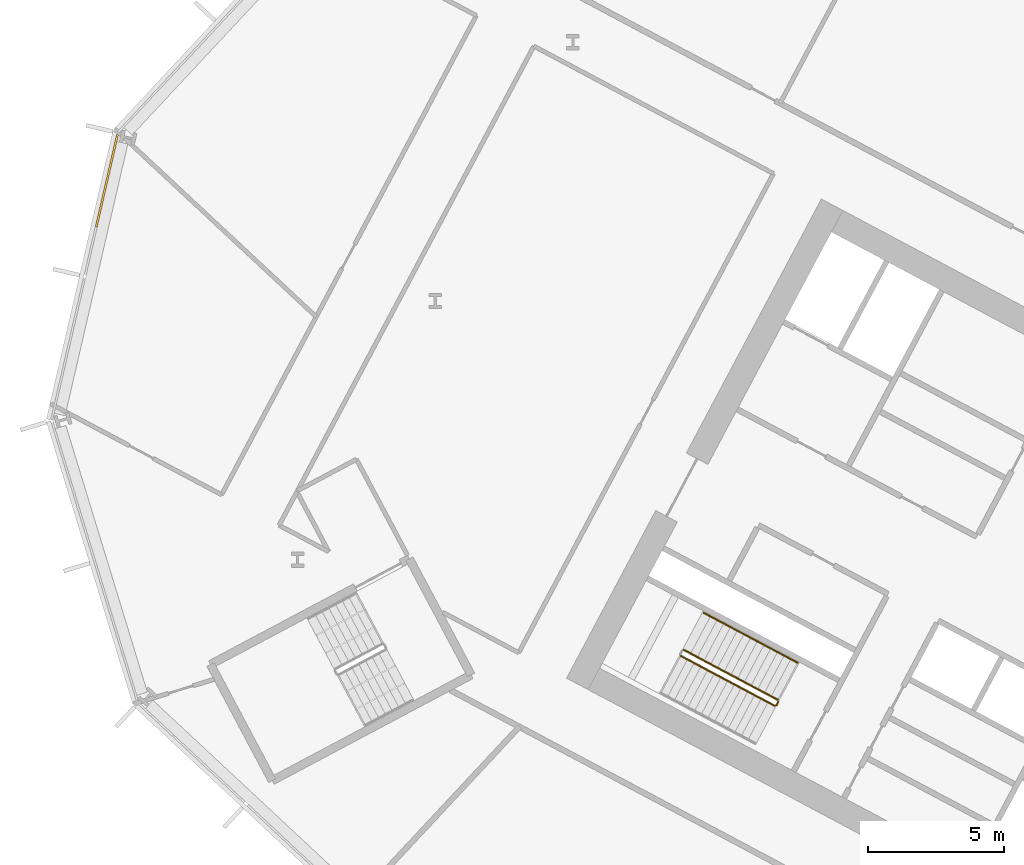
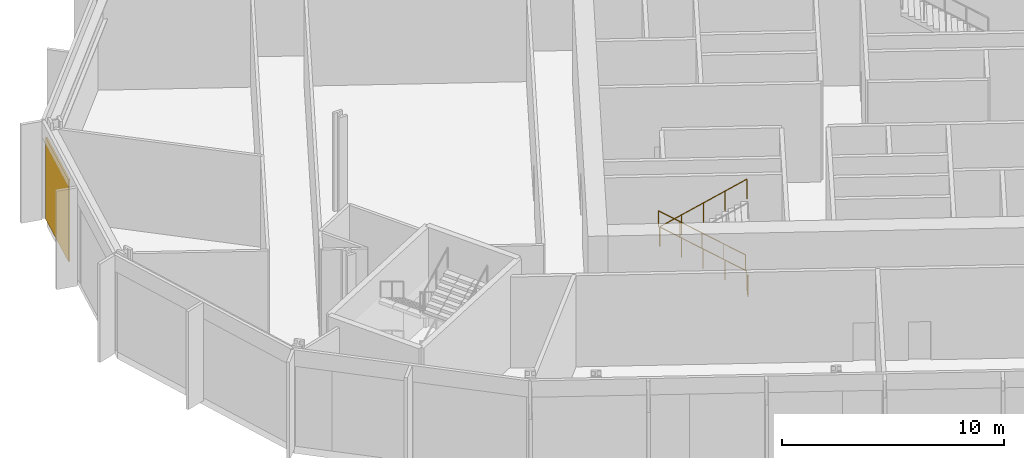
# One storey, part 23 of 32: 4 railings, 1 covering, 1 element without a shape of its own.
"""IFC4 building model written with IfcOpenShell, lengths in metres."""

import ifcopenshell
import ifcopenshell.guid

model = None  # the IFC model being written
_history = None  # IfcOwnerHistory: only IFC2X3 demands one
_inside = {}  # id of a spatial element -> (the spatial element, [elements in it])
_under = {}  # id of a project, library or spatial element -> (it, [spatial elements below it])
_declared = {}  # id of a project -> (the project, [libraries it declares])
_typed = {}  # id of a type object -> (the type object, [elements of that type])
_made_of = {}  # id of a material, layer set ... -> (it, [elements and type objects made of it])


def new_model(schema):
    """Start an empty IFC model of exactly this schema.

    Asked for "IFC4X3", IfcOpenShell would pick the latest addendum, in which some entities
    have other attributes; the version numbers below select the first issue.
    IFC2X3 requires an IfcOwnerHistory on every rooted entity: one is made here for all.
    """
    global model, _history
    if schema == "IFC4X3":
        model = ifcopenshell.file(schema_version=(4, 3, 0, 0))
    else:
        model = ifcopenshell.file(schema=schema)
    _inside.clear()
    _under.clear()
    _declared.clear()
    _typed.clear()
    _made_of.clear()
    _history = None
    if model.schema == "IFC2X3":
        org = make("IfcOrganization", Name="unknown")
        user = make(
            "IfcPersonAndOrganization",
            ThePerson=make("IfcPerson", FamilyName="unknown"),
            TheOrganization=org,
        )
        app = make(
            "IfcApplication",
            ApplicationDeveloper=org,
            Version="unknown",
            ApplicationFullName="unknown",
            ApplicationIdentifier="unknown",
        )
        _history = make(
            "IfcOwnerHistory",
            OwningUser=user,
            OwningApplication=app,
            ChangeAction="ADDED",
            CreationDate=0,
        )
    return model


def make(cls, **values):
    """One entity of the class cls with the attributes given. An attribute that is None is left unset."""
    return model.create_entity(
        cls, **{name: value for name, value in values.items() if value is not None}
    )


def rooted(cls, **values):
    """An entity with a GlobalId (a new one), such as an element, a storey or a relation."""
    return make(cls, GlobalId=ifcopenshell.guid.new(), OwnerHistory=_history, **values)


def si_unit(unit_type, name, prefix=None):
    """IfcSIUnit, for example si_unit("LENGTHUNIT", "METRE", prefix="MILLI")."""
    return make("IfcSIUnit", UnitType=unit_type, Prefix=prefix, Name=name)


def assignment(units):
    """IfcUnitAssignment: the units of a project."""
    return None if units is None else make("IfcUnitAssignment", Units=units)


def point(xyz):
    """IfcCartesianPoint."""
    return None if xyz is None else make("IfcCartesianPoint", Coordinates=xyz)


def direction(xyz):
    """IfcDirection."""
    return None if xyz is None else make("IfcDirection", DirectionRatios=xyz)


def frame(location, z_axis=None, x_axis=None):
    """IfcAxis2Placement3D, a coordinate frame: its origin and axes. An axis left out is left unset."""
    return make(
        "IfcAxis2Placement3D",
        Location=point(location),
        Axis=direction(z_axis),
        RefDirection=direction(x_axis),
    )


def frame_2d(location, x_axis=None):
    """IfcAxis2Placement2D, a coordinate frame in the plane: its origin and x axis."""
    return make(
        "IfcAxis2Placement2D", Location=point(location), RefDirection=direction(x_axis)
    )


def origin():
    """The frame at (0, 0, 0) with its axes left unset."""
    return frame((0.0, 0.0, 0.0))


def origin_2d():
    """The frame at (0, 0) in the plane with its x axis left unset."""
    return frame_2d((0.0, 0.0))


def place(relative_to, where):
    """IfcLocalPlacement: puts the frame where relative to a parent placement (None: the world)."""
    return make(
        "IfcLocalPlacement", PlacementRelTo=relative_to, RelativePlacement=where
    )


def context(
    kind, dimensions, precision=None, world=None, true_north=None, identifier=None
):
    """IfcGeometricRepresentationContext, for example the 3D "Model" context."""
    return make(
        "IfcGeometricRepresentationContext",
        ContextIdentifier=identifier,
        ContextType=kind,
        CoordinateSpaceDimension=dimensions,
        Precision=precision,
        WorldCoordinateSystem=world,
        TrueNorth=true_north,
    )


def subcontext(parent, identifier, kind, view, scale=None):
    """IfcGeometricRepresentationSubContext, for example "Body" below "Model"."""
    return make(
        "IfcGeometricRepresentationSubContext",
        ContextIdentifier=identifier,
        ContextType=kind,
        ParentContext=parent,
        TargetScale=scale,
        TargetView=view,
    )


def project(units=None, contexts=None):
    """IfcProject with its units and contexts."""
    return rooted(
        "IfcProject",
        Name="project",
        RepresentationContexts=contexts,
        UnitsInContext=assignment(units),
    )


def spatial(cls, under=None, at=None, **own):
    """A site, building, storey or space (cls), placed at a placement, below another one or the project."""
    s = rooted(cls, ObjectPlacement=at, **own)
    if under is not None:
        _under.setdefault(under.id(), (under, []))[1].append(s)
    return s


def polyline(points):
    """IfcPolyline through the points."""
    return make("IfcPolyline", Points=[point(p) for p in points])


def profile(cls, at=None, kind="AREA", **sizes):
    """A parametric profile (cls). Its sizes go by their IFC names, for example OverallWidth=200.0."""
    return make(cls, ProfileType=kind, Position=at, **sizes)


def rectangle(**sizes):
    """IfcRectangleProfileDef."""
    return profile("IfcRectangleProfileDef", **sizes)


def outline(outer, holes=None, kind="AREA"):
    """IfcArbitraryClosedProfileDef: a profile drawn as a closed curve; with holes, ...WithVoids."""
    if holes is None:
        return make("IfcArbitraryClosedProfileDef", ProfileType=kind, OuterCurve=outer)
    return make(
        "IfcArbitraryProfileDefWithVoids",
        ProfileType=kind,
        OuterCurve=outer,
        InnerCurves=holes,
    )


def extrude(swept, where, along, depth):
    """IfcExtrudedAreaSolid: the profile swept, set in the frame where, extruded along a direction by depth."""
    return make(
        "IfcExtrudedAreaSolid",
        SweptArea=swept,
        Position=where,
        ExtrudedDirection=direction(along),
        Depth=depth,
    )


def shape(context_of_items, identifier, shape_type, items):
    """IfcShapeRepresentation: the items that make up one representation, for example the "Body"."""
    return make(
        "IfcShapeRepresentation",
        ContextOfItems=context_of_items,
        RepresentationIdentifier=identifier,
        RepresentationType=shape_type,
        Items=items,
    )


def material(Name=None, Category=None):
    """IfcMaterial."""
    return make("IfcMaterial", Name=Name, Category=Category)


def layer(
    of_material, thickness, ventilated=None, Name=None, Category=None, Priority=None
):
    """IfcMaterialLayer: one layer of a wall or slab, of a material (None: an air gap)."""
    return make(
        "IfcMaterialLayer",
        Material=of_material,
        LayerThickness=thickness,
        IsVentilated=ventilated,
        Name=Name,
        Category=Category,
        Priority=Priority,
    )


def layer_set(layers, Name=None):
    """IfcMaterialLayerSet."""
    return make("IfcMaterialLayerSet", MaterialLayers=layers, LayerSetName=Name)


def made_of(thing, what):
    """Note that an element or type object is made of a material, layer set ...; save() writes the relation."""
    if what is not None:
        _made_of.setdefault(what.id(), (what, []))[1].append(thing)
    return thing


def type_object(cls, material=None, **own):
    """A type object (cls), such as IfcWallType, which elements share."""
    return made_of(rooted(cls, **own), material)


def element(
    cls,
    number,
    at=None,
    inside=None,
    cuts=None,
    type_object=None,
    material=None,
    context=None,
    identifier="Body",
    shape_type=None,
    held_by="IfcProductDefinitionShape",
    body=None,
    shapes=None,
    **own,
):
    """One element of the class cls, such as IfcWall. Its Tag is "e" and its number.

    at: its placement. inside: the storey or other place that contains it. cuts: it is an
    opening in that element (IfcRelVoidsElement). A single representation is given by context,
    identifier, shape_type and body (its items); several are given by shapes. held_by: the class
    of the entity that holds the representations. save() writes the other relations.
    """
    e = rooted(cls, Tag="e%d" % number, ObjectPlacement=at, **own)
    if body is not None:
        shapes = [shape(context, identifier, shape_type, body)]
    if shapes is not None:
        e.Representation = make(held_by, Representations=shapes)
    if inside is not None:
        _inside.setdefault(inside.id(), (inside, []))[1].append(e)
    if cuts is not None:
        rooted(
            "IfcRelVoidsElement", RelatingBuildingElement=cuts, RelatedOpeningElement=e
        )
    if type_object is not None:
        _typed.setdefault(type_object.id(), (type_object, []))[1].append(e)
    return made_of(e, material)


def aggregate(whole, parts):
    """IfcRelAggregates: a whole, such as a stair, and the parts it consists of."""
    return rooted("IfcRelAggregates", RelatingObject=whole, RelatedObjects=parts)


def save(model, path):
    """Write the relations noted so far, then the file.

    IfcRelAggregates (storeys below a building ...), IfcRelContainedInSpatialStructure (elements
    in a storey), IfcRelDefinesByType, IfcRelAssociatesMaterial and IfcRelDeclares: one each for
    every whole, place, type object, material and project.
    """
    for whole, parts in _under.values():
        aggregate(whole, parts)
    for where, things in _inside.values():
        rooted(
            "IfcRelContainedInSpatialStructure",
            RelatedElements=things,
            RelatingStructure=where,
        )
    for kind, things in _typed.values():
        rooted("IfcRelDefinesByType", RelatedObjects=things, RelatingType=kind)
    for what, things in _made_of.values():
        rooted("IfcRelAssociatesMaterial", RelatedObjects=things, RelatingMaterial=what)
    for by, libraries in _declared.values():
        rooted("IfcRelDeclares", RelatingContext=by, RelatedDefinitions=libraries)
    model.write(path)


model = new_model("IFC4")

# Units and contexts
model_context = context("Model", 3, precision=1e-05, world=origin(), true_north=direction((0.0, 1.0)))
body_context = subcontext(model_context, "Body", "Model", "MODEL_VIEW")
ifc_project = project(units=[si_unit("LENGTHUNIT", "METRE"), si_unit("AREAUNIT", "SQUARE_METRE"), si_unit("VOLUMEUNIT", "CUBIC_METRE"), si_unit("PLANEANGLEUNIT", "RADIAN"), si_unit("MASSUNIT", "GRAM", prefix="KILO")], contexts=[model_context])

# Site, building, storey
site_placement = place(None, origin())
site = spatial("IfcSite", under=ifc_project, at=site_placement, CompositionType="ELEMENT")
building_placement = place(site_placement, origin())
building = spatial("IfcBuilding", under=site, at=building_placement, Name="Cormorant Relay Tower", CompositionType="ELEMENT")
storey_placement = place(building_placement, frame((0.0, 0.0, 60.800048828125)))
storey = spatial("IfcBuildingStorey", under=building, at=storey_placement, Name="L11", CompositionType="ELEMENT", Elevation=60.800048828125)

# Curtain wall, covering
ifc_material_1 = material(Name="Aluminium 6063-T6 anodised bronze", Category="aluminium")
ifc_layer_1 = layer(ifc_material_1, 0.235107421875)
ifc_layer_set_1 = layer_set([ifc_layer_1], Name="CW6 data hall curtain wall with mineral wool panels")
curtain_wall_type = type_object("IfcCurtainWallType", Name="CW6 data hall curtain wall with mineral wool panels", PredefinedType="NOTDEFINED", material=ifc_layer_set_1)
curtain_wall_placement = place(storey_placement, origin())
curtain_wall = element("IfcCurtainWall", 1, at=curtain_wall_placement, inside=storey, type_object=curtain_wall_type, Name="CW6 curtain wall 11", PredefinedType="NOTDEFINED")
ifc_material_2 = material(Name="Mineral wool cored anodised bronze aluminium cassette panel", Category="aluminium")
ifc_layer_2 = layer(ifc_material_2, 0.074951171875)
ifc_layer_set_2 = layer_set([ifc_layer_2], Name="CW6 mineral wool cassette panel 75")
covering_type = type_object("IfcCoveringType", Name="CW6 mineral wool cassette panel 75", PredefinedType="CLADDING", material=ifc_layer_set_2)
covering_placement = place(storey_placement, frame((-58.719970703125, 29.222412109375, 0.0), z_axis=(0.0, 0.0, 1.0), x_axis=(-0.224951054344, -0.974370064785, 0.0)))
covering = element("IfcCovering", 2, at=covering_placement, type_object=covering_type, Name="CW6 panel S00", PredefinedType="CLADDING", context=body_context, shape_type="SweptSolid", body=[
    extrude(rectangle(XDim=3.485107421875, YDim=0.074951171875, at=origin_2d()), origin(), (0.0, 0.0, 1.0), 4.5),
])
aggregate(curtain_wall, [covering])

# Railings
ifc_material_3 = material(Name="Steel ASTM A572 Grade 50 (Fy 345 MPa)", Category="steel")
railing_type_1 = type_object("IfcRailingType", Name="Stair guard 1100", PredefinedType="GUARDRAIL", material=ifc_material_3)
railing_1_placement = place(storey_placement, frame((-33.9921875, 10.08935546875, 0.179931640625)))
element("IfcRailing", 3, at=railing_1_placement, inside=storey, type_object=railing_type_1, Name="L11 A2 stair guard 1", PredefinedType="GUARDRAIL", context=body_context, shape_type="SweptSolid", body=[
    extrude(outline(polyline([(0.022216796875, 0.00927734375), (0.00927734375, 0.022216796875), (-0.00927734375, 0.022216796875), (-0.022216796875, 0.00927734375), (-0.022216796875, -0.00927734375), (-0.00927734375, -0.022216796875), (0.00927734375, -0.022216796875), (0.022216796875, -0.00927734375), (0.022216796875, 0.00927734375)])), frame((0.0, 0.0, 1.076171875), z_axis=(-0.74271721126, 0.394907409077, 0.540758062681), x_axis=(-0.469469396681, -0.882948744594, 0.0)), (0.0, 0.0, 1.0), 4.66015625),
    extrude(outline(polyline([(0.019287109375, 0.008056640625), (0.008056640625, 0.019287109375), (-0.008056640625, 0.019287109375), (-0.019287109375, 0.008056640625), (-0.019287109375, -0.008056640625), (-0.008056640625, -0.019287109375), (0.008056640625, -0.019287109375), (0.019287109375, -0.008056640625), (0.019287109375, 0.008056640625)])), origin(), (0.0, 0.0, 1.0), 1.052001953125),
    extrude(outline(polyline([(0.019287109375, 0.008056640625), (0.008056640625, 0.019287109375), (-0.008056640625, 0.019287109375), (-0.019287109375, 0.008056640625), (-0.019287109375, -0.008056640625), (-0.008056640625, -0.019287109375), (0.008056640625, -0.019287109375), (0.019287109375, -0.008056640625), (0.019287109375, 0.008056640625)])), frame((-0.865234375, 0.4599609375, 0.6298828125)), (0.0, 0.0, 1.0), 1.052001953125),
    extrude(outline(polyline([(0.019287109375, 0.008056640625), (0.008056640625, 0.019287109375), (-0.008056640625, 0.019287109375), (-0.019287109375, 0.008056640625), (-0.019287109375, -0.008056640625), (-0.008056640625, -0.019287109375), (0.008056640625, -0.019287109375), (0.019287109375, -0.008056640625), (0.019287109375, 0.008056640625)])), frame((-1.73046875, 0.920166015625, 1.260009765625)), (0.0, 0.0, 1.0), 1.052001953125),
    extrude(outline(polyline([(0.019287109375, 0.008056640625), (0.008056640625, 0.019287109375), (-0.008056640625, 0.019287109375), (-0.019287109375, 0.008056640625), (-0.019287109375, -0.008056640625), (-0.008056640625, -0.019287109375), (0.008056640625, -0.019287109375), (0.019287109375, -0.008056640625), (0.019287109375, 0.008056640625)])), frame((-2.595947265625, 1.38037109375, 1.89013671875)), (0.0, 0.0, 1.0), 1.052001953125),
    extrude(outline(polyline([(0.019287109375, 0.008056640625), (0.008056640625, 0.019287109375), (-0.008056640625, 0.019287109375), (-0.019287109375, 0.008056640625), (-0.019287109375, -0.008056640625), (-0.008056640625, -0.019287109375), (0.008056640625, -0.019287109375), (0.019287109375, -0.008056640625), (0.019287109375, 0.008056640625)])), frame((-3.461181640625, 1.84033203125, 2.52001953125)), (0.0, 0.0, 1.0), 1.052001953125),
])
railing_2_placement = place(storey_placement, frame((-37.57080078125, 11.708984375, 2.8798828125)))
element("IfcRailing", 4, at=railing_2_placement, inside=storey, type_object=railing_type_1, Name="L11 A2 stair guard 3", PredefinedType="GUARDRAIL", context=body_context, shape_type="SweptSolid", body=[
    extrude(outline(polyline([(0.022216796875, 0.00927734375), (0.00927734375, 0.022216796875), (-0.00927734375, 0.022216796875), (-0.022216796875, 0.00927734375), (-0.022216796875, -0.00927734375), (-0.00927734375, -0.022216796875), (0.00927734375, -0.022216796875), (0.022216796875, -0.00927734375), (0.022216796875, 0.00927734375)])), frame((0.0, 0.0, 1.076171875), z_axis=(0.74271721126, -0.394907409077, 0.540758062681), x_axis=(0.469469396681, 0.882948744594, 0.0)), (0.0, 0.0, 1.0), 4.66015625),
    extrude(outline(polyline([(0.019287109375, 0.008056640625), (0.008056640625, 0.019287109375), (-0.008056640625, 0.019287109375), (-0.019287109375, 0.008056640625), (-0.019287109375, -0.008056640625), (-0.008056640625, -0.019287109375), (0.008056640625, -0.019287109375), (0.019287109375, -0.008056640625), (0.019287109375, 0.008056640625)])), origin(), (0.0, 0.0, 1.0), 1.052001953125),
    extrude(outline(polyline([(0.019287109375, 0.008056640625), (0.008056640625, 0.019287109375), (-0.008056640625, 0.019287109375), (-0.019287109375, 0.008056640625), (-0.019287109375, -0.008056640625), (-0.008056640625, -0.019287109375), (0.008056640625, -0.019287109375), (0.019287109375, -0.008056640625), (0.019287109375, 0.008056640625)])), frame((0.865234375, -0.4599609375, 0.6298828125)), (0.0, 0.0, 1.0), 1.052001953125),
    extrude(outline(polyline([(0.019287109375, 0.008056640625), (0.008056640625, 0.019287109375), (-0.008056640625, 0.019287109375), (-0.019287109375, 0.008056640625), (-0.019287109375, -0.008056640625), (-0.008056640625, -0.019287109375), (0.008056640625, -0.019287109375), (0.019287109375, -0.008056640625), (0.019287109375, 0.008056640625)])), frame((1.73046875, -0.920166015625, 1.260009765625)), (0.0, 0.0, 1.0), 1.052001953125),
    extrude(outline(polyline([(0.019287109375, 0.008056640625), (0.008056640625, 0.019287109375), (-0.008056640625, 0.019287109375), (-0.019287109375, 0.008056640625), (-0.019287109375, -0.008056640625), (-0.008056640625, -0.019287109375), (0.008056640625, -0.019287109375), (0.019287109375, -0.008056640625), (0.019287109375, 0.008056640625)])), frame((2.595947265625, -1.38037109375, 1.89013671875)), (0.0, 0.0, 1.0), 1.052001953125),
    extrude(outline(polyline([(0.019287109375, 0.008056640625), (0.008056640625, 0.019287109375), (-0.008056640625, 0.019287109375), (-0.019287109375, 0.008056640625), (-0.019287109375, -0.008056640625), (-0.008056640625, -0.019287109375), (0.008056640625, -0.019287109375), (0.019287109375, -0.008056640625), (0.019287109375, 0.008056640625)])), frame((3.461181640625, -1.84033203125, 2.52001953125)), (0.0, 0.0, 1.0), 1.052001953125),
])
railing_3_placement = place(storey_placement, frame((-33.971435546875, 10.021728515625, 0.0)))
element("IfcRailing", 5, at=railing_3_placement, inside=storey, type_object=railing_type_1, Name="L11 A2 stair guard 4", PredefinedType="GUARDRAIL", context=body_context, shape_type="SweptSolid", body=[
    extrude(outline(polyline([(0.022216796875, 0.00927734375), (0.00927734375, 0.022216796875), (-0.00927734375, 0.022216796875), (-0.022216796875, 0.00927734375), (-0.022216796875, -0.00927734375), (-0.00927734375, -0.022216796875), (0.00927734375, -0.022216796875), (0.022216796875, -0.00927734375), (0.022216796875, 0.00927734375)])), frame((0.0, 0.0, 1.076171875), z_axis=(-0.470503732759, -0.882398003998, 0.0), x_axis=(0.882398003998, -0.470503732759, 0.0)), (0.0, 0.0, 1.0), 0.14990234375),
    extrude(outline(polyline([(0.019287109375, 0.008056640625), (0.008056640625, 0.019287109375), (-0.008056640625, 0.019287109375), (-0.019287109375, 0.008056640625), (-0.019287109375, -0.008056640625), (-0.008056640625, -0.019287109375), (0.008056640625, -0.019287109375), (0.019287109375, -0.008056640625), (0.019287109375, 0.008056640625)])), origin(), (0.0, 0.0, 1.0), 1.052001953125),
    extrude(outline(polyline([(0.019287109375, 0.008056640625), (0.008056640625, 0.019287109375), (-0.008056640625, 0.019287109375), (-0.019287109375, 0.008056640625), (-0.019287109375, -0.008056640625), (-0.008056640625, -0.019287109375), (0.008056640625, -0.019287109375), (0.019287109375, -0.008056640625), (0.019287109375, 0.008056640625)])), frame((-0.070556640625, -0.13232421875, 0.0)), (0.0, 0.0, 1.0), 1.052001953125),
])
ifc_material_4 = material(Name="Steel ASTM A572 Grade 50 (Fy 345 MPa)", Category="steel")
railing_type_2 = type_object("IfcRailingType", Name="Stair handrail 900", PredefinedType="HANDRAIL", material=ifc_material_4)
railing_4_placement = place(storey_placement, frame((-33.264404296875, 11.4580078125, 0.179931640625)))
element("IfcRailing", 6, at=railing_4_placement, inside=storey, type_object=railing_type_2, Name="L11 A2 stair handrail 1", PredefinedType="HANDRAIL", context=body_context, shape_type="SweptSolid", body=[
    extrude(outline(polyline([(0.022216796875, 0.00927734375), (0.00927734375, 0.022216796875), (-0.00927734375, 0.022216796875), (-0.022216796875, 0.00927734375), (-0.022216796875, -0.00927734375), (-0.00927734375, -0.022216796875), (0.00927734375, -0.022216796875), (0.022216796875, -0.00927734375), (0.022216796875, 0.00927734375)])), frame((0.0, 0.0, 0.8759765625), z_axis=(-0.74271721126, 0.394907409077, 0.540758062681), x_axis=(-0.469469396681, -0.882948744594, 0.0)), (0.0, 0.0, 1.0), 4.66015625),
    extrude(outline(polyline([(0.019287109375, 0.008056640625), (0.008056640625, 0.019287109375), (-0.008056640625, 0.019287109375), (-0.019287109375, 0.008056640625), (-0.019287109375, -0.008056640625), (-0.008056640625, -0.019287109375), (0.008056640625, -0.019287109375), (0.019287109375, -0.008056640625), (0.019287109375, 0.008056640625)])), origin(), (0.0, 0.0, 1.0), 0.851806640625),
    extrude(outline(polyline([(0.019287109375, 0.008056640625), (0.008056640625, 0.019287109375), (-0.008056640625, 0.019287109375), (-0.019287109375, 0.008056640625), (-0.019287109375, -0.008056640625), (-0.008056640625, -0.019287109375), (0.008056640625, -0.019287109375), (0.019287109375, -0.008056640625), (0.019287109375, 0.008056640625)])), frame((-0.865234375, 0.4599609375, 0.6298828125)), (0.0, 0.0, 1.0), 0.851806640625),
    extrude(outline(polyline([(0.019287109375, 0.008056640625), (0.008056640625, 0.019287109375), (-0.008056640625, 0.019287109375), (-0.019287109375, 0.008056640625), (-0.019287109375, -0.008056640625), (-0.008056640625, -0.019287109375), (0.008056640625, -0.019287109375), (0.019287109375, -0.008056640625), (0.019287109375, 0.008056640625)])), frame((-1.73046875, 0.920166015625, 1.260009765625)), (0.0, 0.0, 1.0), 0.851806640625),
    extrude(outline(polyline([(0.019287109375, 0.008056640625), (0.008056640625, 0.019287109375), (-0.008056640625, 0.019287109375), (-0.019287109375, 0.008056640625), (-0.019287109375, -0.008056640625), (-0.008056640625, -0.019287109375), (0.008056640625, -0.019287109375), (0.019287109375, -0.008056640625), (0.019287109375, 0.008056640625)])), frame((-2.595947265625, 1.38037109375, 1.89013671875)), (0.0, 0.0, 1.0), 0.851806640625),
    extrude(outline(polyline([(0.019287109375, 0.008056640625), (0.008056640625, 0.019287109375), (-0.008056640625, 0.019287109375), (-0.019287109375, 0.008056640625), (-0.019287109375, -0.008056640625), (-0.008056640625, -0.019287109375), (0.008056640625, -0.019287109375), (0.019287109375, -0.008056640625), (0.019287109375, 0.008056640625)])), frame((-3.461181640625, 1.84033203125, 2.52001953125)), (0.0, 0.0, 1.0), 0.851806640625),
])

save(model, "model.ifc")
